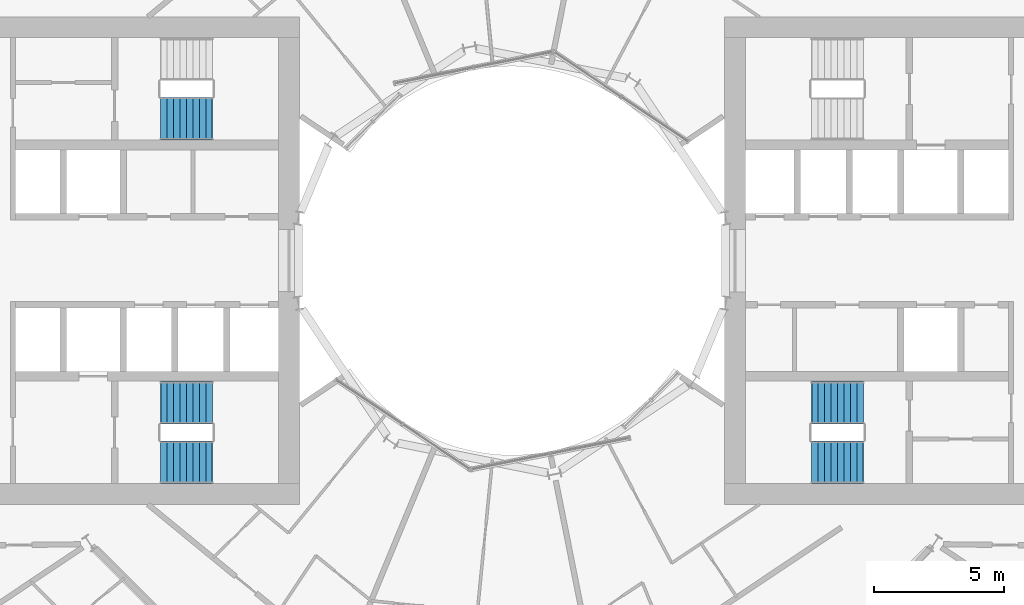
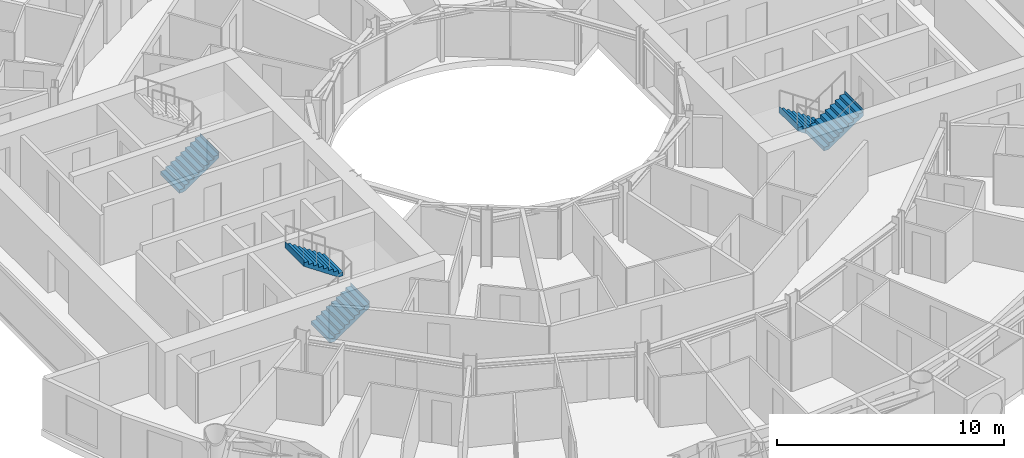
# One storey, part 24 of 26: 5 stair flights, 3 elements without a shape of their own.
"""IFC4 building model written with IfcOpenShell, lengths in metres."""

import ifcopenshell
import ifcopenshell.guid

model = None  # the IFC model being written
_history = None  # IfcOwnerHistory: only IFC2X3 demands one
_inside = {}  # id of a spatial element -> (the spatial element, [elements in it])
_under = {}  # id of a project, library or spatial element -> (it, [spatial elements below it])
_declared = {}  # id of a project -> (the project, [libraries it declares])
_typed = {}  # id of a type object -> (the type object, [elements of that type])
_made_of = {}  # id of a material, layer set ... -> (it, [elements and type objects made of it])


def new_model(schema):
    """Start an empty IFC model of exactly this schema.

    Asked for "IFC4X3", IfcOpenShell would pick the latest addendum, in which some entities
    have other attributes; the version numbers below select the first issue.
    IFC2X3 requires an IfcOwnerHistory on every rooted entity: one is made here for all.
    """
    global model, _history
    if schema == "IFC4X3":
        model = ifcopenshell.file(schema_version=(4, 3, 0, 0))
    else:
        model = ifcopenshell.file(schema=schema)
    _inside.clear()
    _under.clear()
    _declared.clear()
    _typed.clear()
    _made_of.clear()
    _history = None
    if model.schema == "IFC2X3":
        org = make("IfcOrganization", Name="unknown")
        user = make(
            "IfcPersonAndOrganization",
            ThePerson=make("IfcPerson", FamilyName="unknown"),
            TheOrganization=org,
        )
        app = make(
            "IfcApplication",
            ApplicationDeveloper=org,
            Version="unknown",
            ApplicationFullName="unknown",
            ApplicationIdentifier="unknown",
        )
        _history = make(
            "IfcOwnerHistory",
            OwningUser=user,
            OwningApplication=app,
            ChangeAction="ADDED",
            CreationDate=0,
        )
    return model


def make(cls, **values):
    """One entity of the class cls with the attributes given. An attribute that is None is left unset."""
    return model.create_entity(
        cls, **{name: value for name, value in values.items() if value is not None}
    )


def rooted(cls, **values):
    """An entity with a GlobalId (a new one), such as an element, a storey or a relation."""
    return make(cls, GlobalId=ifcopenshell.guid.new(), OwnerHistory=_history, **values)


def si_unit(unit_type, name, prefix=None):
    """IfcSIUnit, for example si_unit("LENGTHUNIT", "METRE", prefix="MILLI")."""
    return make("IfcSIUnit", UnitType=unit_type, Prefix=prefix, Name=name)


def assignment(units):
    """IfcUnitAssignment: the units of a project."""
    return None if units is None else make("IfcUnitAssignment", Units=units)


def point(xyz):
    """IfcCartesianPoint."""
    return None if xyz is None else make("IfcCartesianPoint", Coordinates=xyz)


def direction(xyz):
    """IfcDirection."""
    return None if xyz is None else make("IfcDirection", DirectionRatios=xyz)


def frame(location, z_axis=None, x_axis=None):
    """IfcAxis2Placement3D, a coordinate frame: its origin and axes. An axis left out is left unset."""
    return make(
        "IfcAxis2Placement3D",
        Location=point(location),
        Axis=direction(z_axis),
        RefDirection=direction(x_axis),
    )


def origin():
    """The frame at (0, 0, 0) with its axes left unset."""
    return frame((0.0, 0.0, 0.0))


def place(relative_to, where):
    """IfcLocalPlacement: puts the frame where relative to a parent placement (None: the world)."""
    return make(
        "IfcLocalPlacement", PlacementRelTo=relative_to, RelativePlacement=where
    )


def context(
    kind, dimensions, precision=None, world=None, true_north=None, identifier=None
):
    """IfcGeometricRepresentationContext, for example the 3D "Model" context."""
    return make(
        "IfcGeometricRepresentationContext",
        ContextIdentifier=identifier,
        ContextType=kind,
        CoordinateSpaceDimension=dimensions,
        Precision=precision,
        WorldCoordinateSystem=world,
        TrueNorth=true_north,
    )


def subcontext(parent, identifier, kind, view, scale=None):
    """IfcGeometricRepresentationSubContext, for example "Body" below "Model"."""
    return make(
        "IfcGeometricRepresentationSubContext",
        ContextIdentifier=identifier,
        ContextType=kind,
        ParentContext=parent,
        TargetScale=scale,
        TargetView=view,
    )


def project(units=None, contexts=None):
    """IfcProject with its units and contexts."""
    return rooted(
        "IfcProject",
        Name="project",
        RepresentationContexts=contexts,
        UnitsInContext=assignment(units),
    )


def spatial(cls, under=None, at=None, **own):
    """A site, building, storey or space (cls), placed at a placement, below another one or the project."""
    s = rooted(cls, ObjectPlacement=at, **own)
    if under is not None:
        _under.setdefault(under.id(), (under, []))[1].append(s)
    return s


def point_list(points):
    """IfcCartesianPointList2D or 3D."""
    cls = (
        "IfcCartesianPointList2D" if len(points[0]) == 2 else "IfcCartesianPointList3D"
    )
    return make(cls, CoordList=points)


def triangles(points, corners, closed=None, point_numbers=None):
    """IfcTriangulatedFaceSet: each triangle names its three corners, points numbered from 1."""
    return make(
        "IfcTriangulatedFaceSet",
        Coordinates=point_list(points),
        Closed=closed,
        CoordIndex=corners,
        PnIndex=point_numbers,
    )


def shape(context_of_items, identifier, shape_type, items):
    """IfcShapeRepresentation: the items that make up one representation, for example the "Body"."""
    return make(
        "IfcShapeRepresentation",
        ContextOfItems=context_of_items,
        RepresentationIdentifier=identifier,
        RepresentationType=shape_type,
        Items=items,
    )


def material(Name=None, Category=None):
    """IfcMaterial."""
    return make("IfcMaterial", Name=Name, Category=Category)


def made_of(thing, what):
    """Note that an element or type object is made of a material, layer set ...; save() writes the relation."""
    if what is not None:
        _made_of.setdefault(what.id(), (what, []))[1].append(thing)
    return thing


def type_object(cls, material=None, **own):
    """A type object (cls), such as IfcWallType, which elements share."""
    return made_of(rooted(cls, **own), material)


def element(
    cls,
    number,
    at=None,
    inside=None,
    cuts=None,
    type_object=None,
    material=None,
    context=None,
    identifier="Body",
    shape_type=None,
    held_by="IfcProductDefinitionShape",
    body=None,
    shapes=None,
    **own,
):
    """One element of the class cls, such as IfcWall. Its Tag is "e" and its number.

    at: its placement. inside: the storey or other place that contains it. cuts: it is an
    opening in that element (IfcRelVoidsElement). A single representation is given by context,
    identifier, shape_type and body (its items); several are given by shapes. held_by: the class
    of the entity that holds the representations. save() writes the other relations.
    """
    e = rooted(cls, Tag="e%d" % number, ObjectPlacement=at, **own)
    if body is not None:
        shapes = [shape(context, identifier, shape_type, body)]
    if shapes is not None:
        e.Representation = make(held_by, Representations=shapes)
    if inside is not None:
        _inside.setdefault(inside.id(), (inside, []))[1].append(e)
    if cuts is not None:
        rooted(
            "IfcRelVoidsElement", RelatingBuildingElement=cuts, RelatedOpeningElement=e
        )
    if type_object is not None:
        _typed.setdefault(type_object.id(), (type_object, []))[1].append(e)
    return made_of(e, material)


def aggregate(whole, parts):
    """IfcRelAggregates: a whole, such as a stair, and the parts it consists of."""
    return rooted("IfcRelAggregates", RelatingObject=whole, RelatedObjects=parts)


def save(model, path):
    """Write the relations noted so far, then the file.

    IfcRelAggregates (storeys below a building ...), IfcRelContainedInSpatialStructure (elements
    in a storey), IfcRelDefinesByType, IfcRelAssociatesMaterial and IfcRelDeclares: one each for
    every whole, place, type object, material and project.
    """
    for whole, parts in _under.values():
        aggregate(whole, parts)
    for where, things in _inside.values():
        rooted(
            "IfcRelContainedInSpatialStructure",
            RelatedElements=things,
            RelatingStructure=where,
        )
    for kind, things in _typed.values():
        rooted("IfcRelDefinesByType", RelatedObjects=things, RelatingType=kind)
    for what, things in _made_of.values():
        rooted("IfcRelAssociatesMaterial", RelatedObjects=things, RelatingMaterial=what)
    for by, libraries in _declared.values():
        rooted("IfcRelDeclares", RelatingContext=by, RelatedDefinitions=libraries)
    model.write(path)


model = new_model("IFC4")

# Units and contexts
model_context = context("Model", 3, precision=1e-05, world=origin(), true_north=direction((0.0, 1.0)))
body_context = subcontext(model_context, "Body", "Model", "MODEL_VIEW")
ifc_project = project(units=[si_unit("LENGTHUNIT", "METRE"), si_unit("AREAUNIT", "SQUARE_METRE"), si_unit("VOLUMEUNIT", "CUBIC_METRE"), si_unit("PLANEANGLEUNIT", "RADIAN"), si_unit("MASSUNIT", "GRAM", prefix="KILO")], contexts=[model_context])

# Site, building, storey
site_placement = place(None, origin())
site = spatial("IfcSite", under=ifc_project, at=site_placement, CompositionType="ELEMENT")
building_placement = place(site_placement, origin())
building = spatial("IfcBuilding", under=site, at=building_placement, Name="Maasbend Ring Residences", CompositionType="ELEMENT")
storey_placement = place(building_placement, frame((0.0, 0.0, 25.85009765625)))
storey = spatial("IfcBuildingStorey", under=building, at=storey_placement, Name="L06", CompositionType="ELEMENT", Elevation=25.85009765625)

# Stair, stair flights
ifc_material_1 = material(Name="Concrete C40/50", Category="concrete")
stair_type = type_object("IfcStairType", Name="CORE STAIR 18 RISERS", PredefinedType="HALF_TURN_STAIR", material=ifc_material_1)
stair_1_placement = place(storey_placement, origin())
stair_1 = element("IfcStair", 1, at=stair_1_placement, inside=storey, type_object=stair_type, Name="L06 Exit stair ST-E2", PredefinedType="HALF_TURN_STAIR")
ifc_material_2 = material(Name="Concrete C40/50", Category="concrete")
stair_flight_type = type_object("IfcStairFlightType", Name="CORE STAIR FLIGHT 1650", PredefinedType="STRAIGHT", material=ifc_material_2)
stair_flight_1_placement = place(storey_placement, frame((13.550048828125, -5.47509765625, 0.0), z_axis=(0.0, 0.0, 1.0), x_axis=(-1.0, 0.0, 0.0)))
stair_flight_1 = element("IfcStairFlight", 2, at=stair_flight_1_placement, type_object=stair_flight_type, Name="ST-E2 flight 1", NumberOfRisers=9, NumberOfTreads=8, PredefinedType="STRAIGHT", RiserHeight=0.169444444, TreadLength=0.25, context=body_context, shape_type="Tessellation", body=[
    triangles([(0.24072265625, 0.824951171875, -0.02001953125), (2.0029296875, 0.824951171875, 1.174560546875), (2.0029296875, 0.824951171875, 1.52490234375), (1.989990234375, 0.824951171875, 1.35546875), (1.75, 0.824951171875, 1.35546875), (1.75, 0.824951171875, 1.18603515625), (1.5, 0.824951171875, 1.18603515625), (1.5, 0.824951171875, 1.0166015625), (1.25, 0.824951171875, 1.0166015625), (1.25, 0.824951171875, 0.84716796875), (1.0, 0.824951171875, 0.84716796875), (1.0, 0.824951171875, 0.677734375), (0.75, 0.824951171875, 0.677734375), (0.75, 0.824951171875, 0.50830078125), (0.5, 0.824951171875, 0.50830078125), (0.5, 0.824951171875, 0.3388671875), (0.25, 0.824951171875, 0.3388671875), (0.25, 0.824951171875, 0.16943359375), (0.0, 0.824951171875, 0.16943359375), (0.0, 0.824951171875, 0.0), (-0.0029296875, 0.824951171875, 0.0), (-0.0029296875, 0.824951171875, -0.02001953125), (0.24072265625, 0.27490234375, -0.02001953125), (2.0029296875, 0.27490234375, 1.174560546875), (2.0029296875, 0.27490234375, 1.52490234375), (1.989990234375, 0.27490234375, 1.35546875), (1.75, 0.27490234375, 1.35546875), (1.75, 0.27490234375, 1.18603515625), (1.5, 0.27490234375, 1.18603515625), (1.5, 0.27490234375, 1.0166015625), (1.25, 0.27490234375, 1.0166015625), (1.25, 0.27490234375, 0.84716796875), (1.0, 0.27490234375, 0.84716796875), (1.0, 0.27490234375, 0.677734375), (0.75, 0.27490234375, 0.677734375), (0.75, 0.27490234375, 0.50830078125), (0.5, 0.27490234375, 0.50830078125), (0.5, 0.27490234375, 0.3388671875), (0.25, 0.27490234375, 0.3388671875), (0.25, 0.27490234375, 0.16943359375), (0.0, 0.27490234375, 0.16943359375), (0.0, 0.27490234375, 0.0), (-0.0029296875, 0.27490234375, 0.0), (-0.0029296875, 0.27490234375, -0.02001953125), (0.24072265625, -0.27490234375, -0.02001953125), (2.0029296875, -0.27490234375, 1.174560546875), (2.0029296875, -0.27490234375, 1.52490234375), (1.989990234375, -0.27490234375, 1.35546875), (1.75, -0.27490234375, 1.35546875), (1.75, -0.27490234375, 1.18603515625), (1.5, -0.27490234375, 1.18603515625), (1.5, -0.27490234375, 1.0166015625), (1.25, -0.27490234375, 1.0166015625), (1.25, -0.27490234375, 0.84716796875), (1.0, -0.27490234375, 0.84716796875), (1.0, -0.27490234375, 0.677734375), (0.75, -0.27490234375, 0.677734375), (0.75, -0.27490234375, 0.50830078125), (0.5, -0.27490234375, 0.50830078125), (0.5, -0.27490234375, 0.3388671875), (0.25, -0.27490234375, 0.3388671875), (0.25, -0.27490234375, 0.16943359375), (0.0, -0.27490234375, 0.16943359375), (0.0, -0.27490234375, 0.0), (-0.0029296875, -0.27490234375, 0.0), (-0.0029296875, -0.27490234375, -0.02001953125), (0.24072265625, -0.824951171875, -0.02001953125), (2.0029296875, -0.824951171875, 1.174560546875), (2.0029296875, -0.824951171875, 1.52490234375), (1.989990234375, -0.824951171875, 1.35546875), (1.75, -0.824951171875, 1.35546875), (1.75, -0.824951171875, 1.18603515625), (1.5, -0.824951171875, 1.18603515625), (1.5, -0.824951171875, 1.0166015625), (1.25, -0.824951171875, 1.0166015625), (1.25, -0.824951171875, 0.84716796875), (1.0, -0.824951171875, 0.84716796875), (1.0, -0.824951171875, 0.677734375), (0.75, -0.824951171875, 0.677734375), (0.75, -0.824951171875, 0.50830078125), (0.5, -0.824951171875, 0.50830078125), (0.5, -0.824951171875, 0.3388671875), (0.25, -0.824951171875, 0.3388671875), (0.25, -0.824951171875, 0.16943359375), (0.0, -0.824951171875, 0.16943359375), (0.0, -0.824951171875, 0.0), (-0.0029296875, -0.824951171875, 0.0), (-0.0029296875, -0.824951171875, -0.02001953125)], [[1, 2, 24], [1, 24, 23], [23, 24, 46], [23, 46, 45], [45, 46, 68], [45, 68, 67], [2, 3, 25], [2, 25, 24], [24, 25, 47], [24, 47, 46], [46, 47, 69], [46, 69, 68], [3, 4, 26], [3, 26, 25], [25, 26, 48], [25, 48, 47], [47, 48, 70], [47, 70, 69], [4, 5, 27], [4, 27, 26], [26, 27, 49], [26, 49, 48], [48, 49, 71], [48, 71, 70], [5, 6, 28], [5, 28, 27], [27, 28, 50], [27, 50, 49], [49, 50, 72], [49, 72, 71], [6, 7, 29], [6, 29, 28], [28, 29, 51], [28, 51, 50], [50, 51, 73], [50, 73, 72], [7, 8, 30], [7, 30, 29], [29, 30, 52], [29, 52, 51], [51, 52, 74], [51, 74, 73], [8, 9, 31], [8, 31, 30], [30, 31, 53], [30, 53, 52], [52, 53, 75], [52, 75, 74], [9, 10, 32], [9, 32, 31], [31, 32, 54], [31, 54, 53], [53, 54, 76], [53, 76, 75], [10, 11, 33], [10, 33, 32], [32, 33, 55], [32, 55, 54], [54, 55, 77], [54, 77, 76], [11, 12, 34], [11, 34, 33], [33, 34, 56], [33, 56, 55], [55, 56, 78], [55, 78, 77], [12, 13, 35], [12, 35, 34], [34, 35, 57], [34, 57, 56], [56, 57, 79], [56, 79, 78], [13, 14, 36], [13, 36, 35], [35, 36, 58], [35, 58, 57], [57, 58, 80], [57, 80, 79], [14, 15, 37], [14, 37, 36], [36, 37, 59], [36, 59, 58], [58, 59, 81], [58, 81, 80], [15, 16, 38], [15, 38, 37], [37, 38, 60], [37, 60, 59], [59, 60, 82], [59, 82, 81], [16, 17, 39], [16, 39, 38], [38, 39, 61], [38, 61, 60], [60, 61, 83], [60, 83, 82], [17, 18, 40], [17, 40, 39], [39, 40, 62], [39, 62, 61], [61, 62, 84], [61, 84, 83], [18, 19, 41], [18, 41, 40], [40, 41, 63], [40, 63, 62], [62, 63, 85], [62, 85, 84], [19, 20, 42], [19, 42, 41], [41, 42, 64], [41, 64, 63], [63, 64, 86], [63, 86, 85], [20, 21, 43], [20, 43, 42], [42, 43, 65], [42, 65, 64], [64, 65, 87], [64, 87, 86], [21, 22, 44], [21, 44, 43], [43, 44, 66], [43, 66, 65], [65, 66, 88], [65, 88, 87], [22, 1, 23], [22, 23, 44], [44, 23, 45], [44, 45, 66], [66, 45, 67], [66, 67, 88], [22, 2, 1], [2, 4, 3], [2, 5, 4], [2, 6, 5], [22, 6, 2], [6, 8, 7], [22, 8, 6], [8, 10, 9], [22, 10, 8], [10, 12, 11], [22, 12, 10], [12, 14, 13], [22, 14, 12], [14, 16, 15], [22, 16, 14], [16, 18, 17], [22, 18, 16], [18, 20, 19], [22, 20, 18], [20, 22, 21], [88, 67, 68], [68, 69, 70], [68, 70, 71], [68, 71, 72], [88, 68, 72], [72, 73, 74], [88, 72, 74], [74, 75, 76], [88, 74, 76], [76, 77, 78], [88, 76, 78], [78, 79, 80], [88, 78, 80], [80, 81, 82], [88, 80, 82], [82, 83, 84], [88, 82, 84], [84, 85, 86], [88, 84, 86], [86, 87, 88]], closed=True),
])
stair_flight_2_placement = place(storey_placement, frame((11.550048828125, -7.77490234375, 1.52490234375), z_axis=(0.0, 0.0, 1.0), x_axis=(1.0, 0.0, 0.0)))
stair_flight_2 = element("IfcStairFlight", 3, at=stair_flight_2_placement, type_object=stair_flight_type, Name="ST-E2 flight 2", NumberOfRisers=9, NumberOfTreads=8, PredefinedType="STRAIGHT", RiserHeight=0.169444444, TreadLength=0.25, context=body_context, shape_type="Tessellation", body=[
    triangles([(0.24072265625, 0.824951171875, -0.02001953125), (2.0029296875, 0.824951171875, 1.174560546875), (2.0029296875, 0.824951171875, 1.52490234375), (1.989990234375, 0.824951171875, 1.35546875), (1.75, 0.824951171875, 1.35546875), (1.75, 0.824951171875, 1.18603515625), (1.5, 0.824951171875, 1.18603515625), (1.5, 0.824951171875, 1.0166015625), (1.25, 0.824951171875, 1.0166015625), (1.25, 0.824951171875, 0.84716796875), (1.0, 0.824951171875, 0.84716796875), (1.0, 0.824951171875, 0.677734375), (0.75, 0.824951171875, 0.677734375), (0.75, 0.824951171875, 0.50830078125), (0.5, 0.824951171875, 0.50830078125), (0.5, 0.824951171875, 0.3388671875), (0.25, 0.824951171875, 0.3388671875), (0.25, 0.824951171875, 0.16943359375), (0.0, 0.824951171875, 0.16943359375), (0.0, 0.824951171875, 0.0), (-0.0029296875, 0.824951171875, 0.0), (-0.0029296875, 0.824951171875, -0.02001953125), (0.24072265625, 0.27490234375, -0.02001953125), (2.0029296875, 0.27490234375, 1.174560546875), (2.0029296875, 0.27490234375, 1.52490234375), (1.989990234375, 0.27490234375, 1.35546875), (1.75, 0.27490234375, 1.35546875), (1.75, 0.27490234375, 1.18603515625), (1.5, 0.27490234375, 1.18603515625), (1.5, 0.27490234375, 1.0166015625), (1.25, 0.27490234375, 1.0166015625), (1.25, 0.27490234375, 0.84716796875), (1.0, 0.27490234375, 0.84716796875), (1.0, 0.27490234375, 0.677734375), (0.75, 0.27490234375, 0.677734375), (0.75, 0.27490234375, 0.50830078125), (0.5, 0.27490234375, 0.50830078125), (0.5, 0.27490234375, 0.3388671875), (0.25, 0.27490234375, 0.3388671875), (0.25, 0.27490234375, 0.16943359375), (0.0, 0.27490234375, 0.16943359375), (0.0, 0.27490234375, 0.0), (-0.0029296875, 0.27490234375, 0.0), (-0.0029296875, 0.27490234375, -0.02001953125), (0.24072265625, -0.27490234375, -0.02001953125), (2.0029296875, -0.27490234375, 1.174560546875), (2.0029296875, -0.27490234375, 1.52490234375), (1.989990234375, -0.27490234375, 1.35546875), (1.75, -0.27490234375, 1.35546875), (1.75, -0.27490234375, 1.18603515625), (1.5, -0.27490234375, 1.18603515625), (1.5, -0.27490234375, 1.0166015625), (1.25, -0.27490234375, 1.0166015625), (1.25, -0.27490234375, 0.84716796875), (1.0, -0.27490234375, 0.84716796875), (1.0, -0.27490234375, 0.677734375), (0.75, -0.27490234375, 0.677734375), (0.75, -0.27490234375, 0.50830078125), (0.5, -0.27490234375, 0.50830078125), (0.5, -0.27490234375, 0.3388671875), (0.25, -0.27490234375, 0.3388671875), (0.25, -0.27490234375, 0.16943359375), (0.0, -0.27490234375, 0.16943359375), (0.0, -0.27490234375, 0.0), (-0.0029296875, -0.27490234375, 0.0), (-0.0029296875, -0.27490234375, -0.02001953125), (0.24072265625, -0.824951171875, -0.02001953125), (2.0029296875, -0.824951171875, 1.174560546875), (2.0029296875, -0.824951171875, 1.52490234375), (1.989990234375, -0.824951171875, 1.35546875), (1.75, -0.824951171875, 1.35546875), (1.75, -0.824951171875, 1.18603515625), (1.5, -0.824951171875, 1.18603515625), (1.5, -0.824951171875, 1.0166015625), (1.25, -0.824951171875, 1.0166015625), (1.25, -0.824951171875, 0.84716796875), (1.0, -0.824951171875, 0.84716796875), (1.0, -0.824951171875, 0.677734375), (0.75, -0.824951171875, 0.677734375), (0.75, -0.824951171875, 0.50830078125), (0.5, -0.824951171875, 0.50830078125), (0.5, -0.824951171875, 0.3388671875), (0.25, -0.824951171875, 0.3388671875), (0.25, -0.824951171875, 0.16943359375), (0.0, -0.824951171875, 0.16943359375), (0.0, -0.824951171875, 0.0), (-0.0029296875, -0.824951171875, 0.0), (-0.0029296875, -0.824951171875, -0.02001953125)], [[1, 2, 24], [1, 24, 23], [23, 24, 46], [23, 46, 45], [45, 46, 68], [45, 68, 67], [2, 3, 25], [2, 25, 24], [24, 25, 47], [24, 47, 46], [46, 47, 69], [46, 69, 68], [3, 4, 26], [3, 26, 25], [25, 26, 48], [25, 48, 47], [47, 48, 70], [47, 70, 69], [4, 5, 27], [4, 27, 26], [26, 27, 49], [26, 49, 48], [48, 49, 71], [48, 71, 70], [5, 6, 28], [5, 28, 27], [27, 28, 50], [27, 50, 49], [49, 50, 72], [49, 72, 71], [6, 7, 29], [6, 29, 28], [28, 29, 51], [28, 51, 50], [50, 51, 73], [50, 73, 72], [7, 8, 30], [7, 30, 29], [29, 30, 52], [29, 52, 51], [51, 52, 74], [51, 74, 73], [8, 9, 31], [8, 31, 30], [30, 31, 53], [30, 53, 52], [52, 53, 75], [52, 75, 74], [9, 10, 32], [9, 32, 31], [31, 32, 54], [31, 54, 53], [53, 54, 76], [53, 76, 75], [10, 11, 33], [10, 33, 32], [32, 33, 55], [32, 55, 54], [54, 55, 77], [54, 77, 76], [11, 12, 34], [11, 34, 33], [33, 34, 56], [33, 56, 55], [55, 56, 78], [55, 78, 77], [12, 13, 35], [12, 35, 34], [34, 35, 57], [34, 57, 56], [56, 57, 79], [56, 79, 78], [13, 14, 36], [13, 36, 35], [35, 36, 58], [35, 58, 57], [57, 58, 80], [57, 80, 79], [14, 15, 37], [14, 37, 36], [36, 37, 59], [36, 59, 58], [58, 59, 81], [58, 81, 80], [15, 16, 38], [15, 38, 37], [37, 38, 60], [37, 60, 59], [59, 60, 82], [59, 82, 81], [16, 17, 39], [16, 39, 38], [38, 39, 61], [38, 61, 60], [60, 61, 83], [60, 83, 82], [17, 18, 40], [17, 40, 39], [39, 40, 62], [39, 62, 61], [61, 62, 84], [61, 84, 83], [18, 19, 41], [18, 41, 40], [40, 41, 63], [40, 63, 62], [62, 63, 85], [62, 85, 84], [19, 20, 42], [19, 42, 41], [41, 42, 64], [41, 64, 63], [63, 64, 86], [63, 86, 85], [20, 21, 43], [20, 43, 42], [42, 43, 65], [42, 65, 64], [64, 65, 87], [64, 87, 86], [21, 22, 44], [21, 44, 43], [43, 44, 66], [43, 66, 65], [65, 66, 88], [65, 88, 87], [22, 1, 23], [22, 23, 44], [44, 23, 45], [44, 45, 66], [66, 45, 67], [66, 67, 88], [22, 2, 1], [2, 4, 3], [2, 5, 4], [2, 6, 5], [22, 6, 2], [6, 8, 7], [22, 8, 6], [8, 10, 9], [22, 10, 8], [10, 12, 11], [22, 12, 10], [12, 14, 13], [22, 14, 12], [14, 16, 15], [22, 16, 14], [16, 18, 17], [22, 18, 16], [18, 20, 19], [22, 20, 18], [20, 22, 21], [88, 67, 68], [68, 69, 70], [68, 70, 71], [68, 71, 72], [88, 68, 72], [72, 73, 74], [88, 72, 74], [74, 75, 76], [88, 74, 76], [76, 77, 78], [88, 76, 78], [78, 79, 80], [88, 78, 80], [80, 81, 82], [88, 80, 82], [82, 83, 84], [88, 82, 84], [84, 85, 86], [88, 84, 86], [86, 87, 88]], closed=True),
])
aggregate(stair_1, [stair_flight_1, stair_flight_2])

stair_2_placement = place(storey_placement, origin())
stair_2 = element("IfcStair", 4, at=stair_2_placement, inside=storey, type_object=stair_type, Name="L06 Exit stair ST-W1", PredefinedType="HALF_TURN_STAIR")
stair_flight_3_placement = place(storey_placement, frame((-13.550048828125, -7.77490234375, 0.0), z_axis=(0.0, 0.0, 1.0), x_axis=(1.0, 0.0, 0.0)))
stair_flight_3 = element("IfcStairFlight", 5, at=stair_flight_3_placement, type_object=stair_flight_type, Name="ST-W1 flight 1", NumberOfRisers=9, NumberOfTreads=8, PredefinedType="STRAIGHT", RiserHeight=0.169444444, TreadLength=0.25, context=body_context, shape_type="Tessellation", body=[
    triangles([(0.24072265625, 0.824951171875, -0.02001953125), (2.0029296875, 0.824951171875, 1.174560546875), (2.0029296875, 0.824951171875, 1.52490234375), (1.989990234375, 0.824951171875, 1.35546875), (1.75, 0.824951171875, 1.35546875), (1.75, 0.824951171875, 1.18603515625), (1.5, 0.824951171875, 1.18603515625), (1.5, 0.824951171875, 1.0166015625), (1.25, 0.824951171875, 1.0166015625), (1.25, 0.824951171875, 0.84716796875), (1.0, 0.824951171875, 0.84716796875), (1.0, 0.824951171875, 0.677734375), (0.75, 0.824951171875, 0.677734375), (0.75, 0.824951171875, 0.50830078125), (0.5, 0.824951171875, 0.50830078125), (0.5, 0.824951171875, 0.3388671875), (0.25, 0.824951171875, 0.3388671875), (0.25, 0.824951171875, 0.16943359375), (0.0, 0.824951171875, 0.16943359375), (0.0, 0.824951171875, 0.0), (-0.0029296875, 0.824951171875, 0.0), (-0.0029296875, 0.824951171875, -0.02001953125), (0.24072265625, 0.27490234375, -0.02001953125), (2.0029296875, 0.27490234375, 1.174560546875), (2.0029296875, 0.27490234375, 1.52490234375), (1.989990234375, 0.27490234375, 1.35546875), (1.75, 0.27490234375, 1.35546875), (1.75, 0.27490234375, 1.18603515625), (1.5, 0.27490234375, 1.18603515625), (1.5, 0.27490234375, 1.0166015625), (1.25, 0.27490234375, 1.0166015625), (1.25, 0.27490234375, 0.84716796875), (1.0, 0.27490234375, 0.84716796875), (1.0, 0.27490234375, 0.677734375), (0.75, 0.27490234375, 0.677734375), (0.75, 0.27490234375, 0.50830078125), (0.5, 0.27490234375, 0.50830078125), (0.5, 0.27490234375, 0.3388671875), (0.25, 0.27490234375, 0.3388671875), (0.25, 0.27490234375, 0.16943359375), (0.0, 0.27490234375, 0.16943359375), (0.0, 0.27490234375, 0.0), (-0.0029296875, 0.27490234375, 0.0), (-0.0029296875, 0.27490234375, -0.02001953125), (0.24072265625, -0.27490234375, -0.02001953125), (2.0029296875, -0.27490234375, 1.174560546875), (2.0029296875, -0.27490234375, 1.52490234375), (1.989990234375, -0.27490234375, 1.35546875), (1.75, -0.27490234375, 1.35546875), (1.75, -0.27490234375, 1.18603515625), (1.5, -0.27490234375, 1.18603515625), (1.5, -0.27490234375, 1.0166015625), (1.25, -0.27490234375, 1.0166015625), (1.25, -0.27490234375, 0.84716796875), (1.0, -0.27490234375, 0.84716796875), (1.0, -0.27490234375, 0.677734375), (0.75, -0.27490234375, 0.677734375), (0.75, -0.27490234375, 0.50830078125), (0.5, -0.27490234375, 0.50830078125), (0.5, -0.27490234375, 0.3388671875), (0.25, -0.27490234375, 0.3388671875), (0.25, -0.27490234375, 0.16943359375), (0.0, -0.27490234375, 0.16943359375), (0.0, -0.27490234375, 0.0), (-0.0029296875, -0.27490234375, 0.0), (-0.0029296875, -0.27490234375, -0.02001953125), (0.24072265625, -0.824951171875, -0.02001953125), (2.0029296875, -0.824951171875, 1.174560546875), (2.0029296875, -0.824951171875, 1.52490234375), (1.989990234375, -0.824951171875, 1.35546875), (1.75, -0.824951171875, 1.35546875), (1.75, -0.824951171875, 1.18603515625), (1.5, -0.824951171875, 1.18603515625), (1.5, -0.824951171875, 1.0166015625), (1.25, -0.824951171875, 1.0166015625), (1.25, -0.824951171875, 0.84716796875), (1.0, -0.824951171875, 0.84716796875), (1.0, -0.824951171875, 0.677734375), (0.75, -0.824951171875, 0.677734375), (0.75, -0.824951171875, 0.50830078125), (0.5, -0.824951171875, 0.50830078125), (0.5, -0.824951171875, 0.3388671875), (0.25, -0.824951171875, 0.3388671875), (0.25, -0.824951171875, 0.16943359375), (0.0, -0.824951171875, 0.16943359375), (0.0, -0.824951171875, 0.0), (-0.0029296875, -0.824951171875, 0.0), (-0.0029296875, -0.824951171875, -0.02001953125)], [[1, 2, 24], [1, 24, 23], [23, 24, 46], [23, 46, 45], [45, 46, 68], [45, 68, 67], [2, 3, 25], [2, 25, 24], [24, 25, 47], [24, 47, 46], [46, 47, 69], [46, 69, 68], [3, 4, 26], [3, 26, 25], [25, 26, 48], [25, 48, 47], [47, 48, 70], [47, 70, 69], [4, 5, 27], [4, 27, 26], [26, 27, 49], [26, 49, 48], [48, 49, 71], [48, 71, 70], [5, 6, 28], [5, 28, 27], [27, 28, 50], [27, 50, 49], [49, 50, 72], [49, 72, 71], [6, 7, 29], [6, 29, 28], [28, 29, 51], [28, 51, 50], [50, 51, 73], [50, 73, 72], [7, 8, 30], [7, 30, 29], [29, 30, 52], [29, 52, 51], [51, 52, 74], [51, 74, 73], [8, 9, 31], [8, 31, 30], [30, 31, 53], [30, 53, 52], [52, 53, 75], [52, 75, 74], [9, 10, 32], [9, 32, 31], [31, 32, 54], [31, 54, 53], [53, 54, 76], [53, 76, 75], [10, 11, 33], [10, 33, 32], [32, 33, 55], [32, 55, 54], [54, 55, 77], [54, 77, 76], [11, 12, 34], [11, 34, 33], [33, 34, 56], [33, 56, 55], [55, 56, 78], [55, 78, 77], [12, 13, 35], [12, 35, 34], [34, 35, 57], [34, 57, 56], [56, 57, 79], [56, 79, 78], [13, 14, 36], [13, 36, 35], [35, 36, 58], [35, 58, 57], [57, 58, 80], [57, 80, 79], [14, 15, 37], [14, 37, 36], [36, 37, 59], [36, 59, 58], [58, 59, 81], [58, 81, 80], [15, 16, 38], [15, 38, 37], [37, 38, 60], [37, 60, 59], [59, 60, 82], [59, 82, 81], [16, 17, 39], [16, 39, 38], [38, 39, 61], [38, 61, 60], [60, 61, 83], [60, 83, 82], [17, 18, 40], [17, 40, 39], [39, 40, 62], [39, 62, 61], [61, 62, 84], [61, 84, 83], [18, 19, 41], [18, 41, 40], [40, 41, 63], [40, 63, 62], [62, 63, 85], [62, 85, 84], [19, 20, 42], [19, 42, 41], [41, 42, 64], [41, 64, 63], [63, 64, 86], [63, 86, 85], [20, 21, 43], [20, 43, 42], [42, 43, 65], [42, 65, 64], [64, 65, 87], [64, 87, 86], [21, 22, 44], [21, 44, 43], [43, 44, 66], [43, 66, 65], [65, 66, 88], [65, 88, 87], [22, 1, 23], [22, 23, 44], [44, 23, 45], [44, 45, 66], [66, 45, 67], [66, 67, 88], [22, 2, 1], [2, 4, 3], [2, 5, 4], [2, 6, 5], [22, 6, 2], [6, 8, 7], [22, 8, 6], [8, 10, 9], [22, 10, 8], [10, 12, 11], [22, 12, 10], [12, 14, 13], [22, 14, 12], [14, 16, 15], [22, 16, 14], [16, 18, 17], [22, 18, 16], [18, 20, 19], [22, 20, 18], [20, 22, 21], [88, 67, 68], [68, 69, 70], [68, 70, 71], [68, 71, 72], [88, 68, 72], [72, 73, 74], [88, 72, 74], [74, 75, 76], [88, 74, 76], [76, 77, 78], [88, 76, 78], [78, 79, 80], [88, 78, 80], [80, 81, 82], [88, 80, 82], [82, 83, 84], [88, 82, 84], [84, 85, 86], [88, 84, 86], [86, 87, 88]], closed=True),
])
stair_flight_4_placement = place(storey_placement, frame((-11.550048828125, -5.47509765625, 1.52490234375), z_axis=(0.0, 0.0, 1.0), x_axis=(-1.0, 0.0, 0.0)))
stair_flight_4 = element("IfcStairFlight", 6, at=stair_flight_4_placement, type_object=stair_flight_type, Name="ST-W1 flight 2", NumberOfRisers=9, NumberOfTreads=8, PredefinedType="STRAIGHT", RiserHeight=0.169444444, TreadLength=0.25, context=body_context, shape_type="Tessellation", body=[
    triangles([(0.24072265625, 0.824951171875, -0.02001953125), (2.0029296875, 0.824951171875, 1.174560546875), (2.0029296875, 0.824951171875, 1.52490234375), (1.989990234375, 0.824951171875, 1.35546875), (1.75, 0.824951171875, 1.35546875), (1.75, 0.824951171875, 1.18603515625), (1.5, 0.824951171875, 1.18603515625), (1.5, 0.824951171875, 1.0166015625), (1.25, 0.824951171875, 1.0166015625), (1.25, 0.824951171875, 0.84716796875), (1.0, 0.824951171875, 0.84716796875), (1.0, 0.824951171875, 0.677734375), (0.75, 0.824951171875, 0.677734375), (0.75, 0.824951171875, 0.50830078125), (0.5, 0.824951171875, 0.50830078125), (0.5, 0.824951171875, 0.3388671875), (0.25, 0.824951171875, 0.3388671875), (0.25, 0.824951171875, 0.16943359375), (0.0, 0.824951171875, 0.16943359375), (0.0, 0.824951171875, 0.0), (-0.0029296875, 0.824951171875, 0.0), (-0.0029296875, 0.824951171875, -0.02001953125), (0.24072265625, 0.27490234375, -0.02001953125), (2.0029296875, 0.27490234375, 1.174560546875), (2.0029296875, 0.27490234375, 1.52490234375), (1.989990234375, 0.27490234375, 1.35546875), (1.75, 0.27490234375, 1.35546875), (1.75, 0.27490234375, 1.18603515625), (1.5, 0.27490234375, 1.18603515625), (1.5, 0.27490234375, 1.0166015625), (1.25, 0.27490234375, 1.0166015625), (1.25, 0.27490234375, 0.84716796875), (1.0, 0.27490234375, 0.84716796875), (1.0, 0.27490234375, 0.677734375), (0.75, 0.27490234375, 0.677734375), (0.75, 0.27490234375, 0.50830078125), (0.5, 0.27490234375, 0.50830078125), (0.5, 0.27490234375, 0.3388671875), (0.25, 0.27490234375, 0.3388671875), (0.25, 0.27490234375, 0.16943359375), (0.0, 0.27490234375, 0.16943359375), (0.0, 0.27490234375, 0.0), (-0.0029296875, 0.27490234375, 0.0), (-0.0029296875, 0.27490234375, -0.02001953125), (0.24072265625, -0.27490234375, -0.02001953125), (2.0029296875, -0.27490234375, 1.174560546875), (2.0029296875, -0.27490234375, 1.52490234375), (1.989990234375, -0.27490234375, 1.35546875), (1.75, -0.27490234375, 1.35546875), (1.75, -0.27490234375, 1.18603515625), (1.5, -0.27490234375, 1.18603515625), (1.5, -0.27490234375, 1.0166015625), (1.25, -0.27490234375, 1.0166015625), (1.25, -0.27490234375, 0.84716796875), (1.0, -0.27490234375, 0.84716796875), (1.0, -0.27490234375, 0.677734375), (0.75, -0.27490234375, 0.677734375), (0.75, -0.27490234375, 0.50830078125), (0.5, -0.27490234375, 0.50830078125), (0.5, -0.27490234375, 0.3388671875), (0.25, -0.27490234375, 0.3388671875), (0.25, -0.27490234375, 0.16943359375), (0.0, -0.27490234375, 0.16943359375), (0.0, -0.27490234375, 0.0), (-0.0029296875, -0.27490234375, 0.0), (-0.0029296875, -0.27490234375, -0.02001953125), (0.24072265625, -0.824951171875, -0.02001953125), (2.0029296875, -0.824951171875, 1.174560546875), (2.0029296875, -0.824951171875, 1.52490234375), (1.989990234375, -0.824951171875, 1.35546875), (1.75, -0.824951171875, 1.35546875), (1.75, -0.824951171875, 1.18603515625), (1.5, -0.824951171875, 1.18603515625), (1.5, -0.824951171875, 1.0166015625), (1.25, -0.824951171875, 1.0166015625), (1.25, -0.824951171875, 0.84716796875), (1.0, -0.824951171875, 0.84716796875), (1.0, -0.824951171875, 0.677734375), (0.75, -0.824951171875, 0.677734375), (0.75, -0.824951171875, 0.50830078125), (0.5, -0.824951171875, 0.50830078125), (0.5, -0.824951171875, 0.3388671875), (0.25, -0.824951171875, 0.3388671875), (0.25, -0.824951171875, 0.16943359375), (0.0, -0.824951171875, 0.16943359375), (0.0, -0.824951171875, 0.0), (-0.0029296875, -0.824951171875, 0.0), (-0.0029296875, -0.824951171875, -0.02001953125)], [[1, 2, 24], [1, 24, 23], [23, 24, 46], [23, 46, 45], [45, 46, 68], [45, 68, 67], [2, 3, 25], [2, 25, 24], [24, 25, 47], [24, 47, 46], [46, 47, 69], [46, 69, 68], [3, 4, 26], [3, 26, 25], [25, 26, 48], [25, 48, 47], [47, 48, 70], [47, 70, 69], [4, 5, 27], [4, 27, 26], [26, 27, 49], [26, 49, 48], [48, 49, 71], [48, 71, 70], [5, 6, 28], [5, 28, 27], [27, 28, 50], [27, 50, 49], [49, 50, 72], [49, 72, 71], [6, 7, 29], [6, 29, 28], [28, 29, 51], [28, 51, 50], [50, 51, 73], [50, 73, 72], [7, 8, 30], [7, 30, 29], [29, 30, 52], [29, 52, 51], [51, 52, 74], [51, 74, 73], [8, 9, 31], [8, 31, 30], [30, 31, 53], [30, 53, 52], [52, 53, 75], [52, 75, 74], [9, 10, 32], [9, 32, 31], [31, 32, 54], [31, 54, 53], [53, 54, 76], [53, 76, 75], [10, 11, 33], [10, 33, 32], [32, 33, 55], [32, 55, 54], [54, 55, 77], [54, 77, 76], [11, 12, 34], [11, 34, 33], [33, 34, 56], [33, 56, 55], [55, 56, 78], [55, 78, 77], [12, 13, 35], [12, 35, 34], [34, 35, 57], [34, 57, 56], [56, 57, 79], [56, 79, 78], [13, 14, 36], [13, 36, 35], [35, 36, 58], [35, 58, 57], [57, 58, 80], [57, 80, 79], [14, 15, 37], [14, 37, 36], [36, 37, 59], [36, 59, 58], [58, 59, 81], [58, 81, 80], [15, 16, 38], [15, 38, 37], [37, 38, 60], [37, 60, 59], [59, 60, 82], [59, 82, 81], [16, 17, 39], [16, 39, 38], [38, 39, 61], [38, 61, 60], [60, 61, 83], [60, 83, 82], [17, 18, 40], [17, 40, 39], [39, 40, 62], [39, 62, 61], [61, 62, 84], [61, 84, 83], [18, 19, 41], [18, 41, 40], [40, 41, 63], [40, 63, 62], [62, 63, 85], [62, 85, 84], [19, 20, 42], [19, 42, 41], [41, 42, 64], [41, 64, 63], [63, 64, 86], [63, 86, 85], [20, 21, 43], [20, 43, 42], [42, 43, 65], [42, 65, 64], [64, 65, 87], [64, 87, 86], [21, 22, 44], [21, 44, 43], [43, 44, 66], [43, 66, 65], [65, 66, 88], [65, 88, 87], [22, 1, 23], [22, 23, 44], [44, 23, 45], [44, 45, 66], [66, 45, 67], [66, 67, 88], [22, 2, 1], [2, 4, 3], [2, 5, 4], [2, 6, 5], [22, 6, 2], [6, 8, 7], [22, 8, 6], [8, 10, 9], [22, 10, 8], [10, 12, 11], [22, 12, 10], [12, 14, 13], [22, 14, 12], [14, 16, 15], [22, 16, 14], [16, 18, 17], [22, 18, 16], [18, 20, 19], [22, 20, 18], [20, 22, 21], [88, 67, 68], [68, 69, 70], [68, 70, 71], [68, 71, 72], [88, 68, 72], [72, 73, 74], [88, 72, 74], [74, 75, 76], [88, 74, 76], [76, 77, 78], [88, 76, 78], [78, 79, 80], [88, 78, 80], [80, 81, 82], [88, 80, 82], [82, 83, 84], [88, 82, 84], [84, 85, 86], [88, 84, 86], [86, 87, 88]], closed=True),
])
aggregate(stair_2, [stair_flight_3, stair_flight_4])

# Stair, stair flight
stair_3_placement = place(storey_placement, origin())
stair_3 = element("IfcStair", 7, at=stair_3_placement, inside=storey, type_object=stair_type, Name="L06 Exit stair ST-W2", PredefinedType="HALF_TURN_STAIR")
stair_flight_5_placement = place(storey_placement, frame((-13.550048828125, 5.47509765625, 0.0), z_axis=(0.0, 0.0, 1.0), x_axis=(1.0, 0.0, 0.0)))
stair_flight_5 = element("IfcStairFlight", 8, at=stair_flight_5_placement, type_object=stair_flight_type, Name="ST-W2 flight 1", NumberOfRisers=9, NumberOfTreads=8, PredefinedType="STRAIGHT", RiserHeight=0.169444444, TreadLength=0.25, context=body_context, shape_type="Tessellation", body=[
    triangles([(0.24072265625, 0.824951171875, -0.02001953125), (2.0029296875, 0.824951171875, 1.174560546875), (2.0029296875, 0.824951171875, 1.52490234375), (1.989990234375, 0.824951171875, 1.35546875), (1.75, 0.824951171875, 1.35546875), (1.75, 0.824951171875, 1.18603515625), (1.5, 0.824951171875, 1.18603515625), (1.5, 0.824951171875, 1.0166015625), (1.25, 0.824951171875, 1.0166015625), (1.25, 0.824951171875, 0.84716796875), (1.0, 0.824951171875, 0.84716796875), (1.0, 0.824951171875, 0.677734375), (0.75, 0.824951171875, 0.677734375), (0.75, 0.824951171875, 0.50830078125), (0.5, 0.824951171875, 0.50830078125), (0.5, 0.824951171875, 0.3388671875), (0.25, 0.824951171875, 0.3388671875), (0.25, 0.824951171875, 0.16943359375), (0.0, 0.824951171875, 0.16943359375), (0.0, 0.824951171875, 0.0), (-0.0029296875, 0.824951171875, 0.0), (-0.0029296875, 0.824951171875, -0.02001953125), (0.24072265625, 0.27490234375, -0.02001953125), (2.0029296875, 0.27490234375, 1.174560546875), (2.0029296875, 0.27490234375, 1.52490234375), (1.989990234375, 0.27490234375, 1.35546875), (1.75, 0.27490234375, 1.35546875), (1.75, 0.27490234375, 1.18603515625), (1.5, 0.27490234375, 1.18603515625), (1.5, 0.27490234375, 1.0166015625), (1.25, 0.27490234375, 1.0166015625), (1.25, 0.27490234375, 0.84716796875), (1.0, 0.27490234375, 0.84716796875), (1.0, 0.27490234375, 0.677734375), (0.75, 0.27490234375, 0.677734375), (0.75, 0.27490234375, 0.50830078125), (0.5, 0.27490234375, 0.50830078125), (0.5, 0.27490234375, 0.3388671875), (0.25, 0.27490234375, 0.3388671875), (0.25, 0.27490234375, 0.16943359375), (0.0, 0.27490234375, 0.16943359375), (0.0, 0.27490234375, 0.0), (-0.0029296875, 0.27490234375, 0.0), (-0.0029296875, 0.27490234375, -0.02001953125), (0.24072265625, -0.27490234375, -0.02001953125), (2.0029296875, -0.27490234375, 1.174560546875), (2.0029296875, -0.27490234375, 1.52490234375), (1.989990234375, -0.27490234375, 1.35546875), (1.75, -0.27490234375, 1.35546875), (1.75, -0.27490234375, 1.18603515625), (1.5, -0.27490234375, 1.18603515625), (1.5, -0.27490234375, 1.0166015625), (1.25, -0.27490234375, 1.0166015625), (1.25, -0.27490234375, 0.84716796875), (1.0, -0.27490234375, 0.84716796875), (1.0, -0.27490234375, 0.677734375), (0.75, -0.27490234375, 0.677734375), (0.75, -0.27490234375, 0.50830078125), (0.5, -0.27490234375, 0.50830078125), (0.5, -0.27490234375, 0.3388671875), (0.25, -0.27490234375, 0.3388671875), (0.25, -0.27490234375, 0.16943359375), (0.0, -0.27490234375, 0.16943359375), (0.0, -0.27490234375, 0.0), (-0.0029296875, -0.27490234375, 0.0), (-0.0029296875, -0.27490234375, -0.02001953125), (0.24072265625, -0.824951171875, -0.02001953125), (2.0029296875, -0.824951171875, 1.174560546875), (2.0029296875, -0.824951171875, 1.52490234375), (1.989990234375, -0.824951171875, 1.35546875), (1.75, -0.824951171875, 1.35546875), (1.75, -0.824951171875, 1.18603515625), (1.5, -0.824951171875, 1.18603515625), (1.5, -0.824951171875, 1.0166015625), (1.25, -0.824951171875, 1.0166015625), (1.25, -0.824951171875, 0.84716796875), (1.0, -0.824951171875, 0.84716796875), (1.0, -0.824951171875, 0.677734375), (0.75, -0.824951171875, 0.677734375), (0.75, -0.824951171875, 0.50830078125), (0.5, -0.824951171875, 0.50830078125), (0.5, -0.824951171875, 0.3388671875), (0.25, -0.824951171875, 0.3388671875), (0.25, -0.824951171875, 0.16943359375), (0.0, -0.824951171875, 0.16943359375), (0.0, -0.824951171875, 0.0), (-0.0029296875, -0.824951171875, 0.0), (-0.0029296875, -0.824951171875, -0.02001953125)], [[1, 2, 24], [1, 24, 23], [23, 24, 46], [23, 46, 45], [45, 46, 68], [45, 68, 67], [2, 3, 25], [2, 25, 24], [24, 25, 47], [24, 47, 46], [46, 47, 69], [46, 69, 68], [3, 4, 26], [3, 26, 25], [25, 26, 48], [25, 48, 47], [47, 48, 70], [47, 70, 69], [4, 5, 27], [4, 27, 26], [26, 27, 49], [26, 49, 48], [48, 49, 71], [48, 71, 70], [5, 6, 28], [5, 28, 27], [27, 28, 50], [27, 50, 49], [49, 50, 72], [49, 72, 71], [6, 7, 29], [6, 29, 28], [28, 29, 51], [28, 51, 50], [50, 51, 73], [50, 73, 72], [7, 8, 30], [7, 30, 29], [29, 30, 52], [29, 52, 51], [51, 52, 74], [51, 74, 73], [8, 9, 31], [8, 31, 30], [30, 31, 53], [30, 53, 52], [52, 53, 75], [52, 75, 74], [9, 10, 32], [9, 32, 31], [31, 32, 54], [31, 54, 53], [53, 54, 76], [53, 76, 75], [10, 11, 33], [10, 33, 32], [32, 33, 55], [32, 55, 54], [54, 55, 77], [54, 77, 76], [11, 12, 34], [11, 34, 33], [33, 34, 56], [33, 56, 55], [55, 56, 78], [55, 78, 77], [12, 13, 35], [12, 35, 34], [34, 35, 57], [34, 57, 56], [56, 57, 79], [56, 79, 78], [13, 14, 36], [13, 36, 35], [35, 36, 58], [35, 58, 57], [57, 58, 80], [57, 80, 79], [14, 15, 37], [14, 37, 36], [36, 37, 59], [36, 59, 58], [58, 59, 81], [58, 81, 80], [15, 16, 38], [15, 38, 37], [37, 38, 60], [37, 60, 59], [59, 60, 82], [59, 82, 81], [16, 17, 39], [16, 39, 38], [38, 39, 61], [38, 61, 60], [60, 61, 83], [60, 83, 82], [17, 18, 40], [17, 40, 39], [39, 40, 62], [39, 62, 61], [61, 62, 84], [61, 84, 83], [18, 19, 41], [18, 41, 40], [40, 41, 63], [40, 63, 62], [62, 63, 85], [62, 85, 84], [19, 20, 42], [19, 42, 41], [41, 42, 64], [41, 64, 63], [63, 64, 86], [63, 86, 85], [20, 21, 43], [20, 43, 42], [42, 43, 65], [42, 65, 64], [64, 65, 87], [64, 87, 86], [21, 22, 44], [21, 44, 43], [43, 44, 66], [43, 66, 65], [65, 66, 88], [65, 88, 87], [22, 1, 23], [22, 23, 44], [44, 23, 45], [44, 45, 66], [66, 45, 67], [66, 67, 88], [22, 2, 1], [2, 4, 3], [2, 5, 4], [2, 6, 5], [22, 6, 2], [6, 8, 7], [22, 8, 6], [8, 10, 9], [22, 10, 8], [10, 12, 11], [22, 12, 10], [12, 14, 13], [22, 14, 12], [14, 16, 15], [22, 16, 14], [16, 18, 17], [22, 18, 16], [18, 20, 19], [22, 20, 18], [20, 22, 21], [88, 67, 68], [68, 69, 70], [68, 70, 71], [68, 71, 72], [88, 68, 72], [72, 73, 74], [88, 72, 74], [74, 75, 76], [88, 74, 76], [76, 77, 78], [88, 76, 78], [78, 79, 80], [88, 78, 80], [80, 81, 82], [88, 80, 82], [82, 83, 84], [88, 82, 84], [84, 85, 86], [88, 84, 86], [86, 87, 88]], closed=True),
])
aggregate(stair_3, [stair_flight_5])

save(model, "model.ifc")
